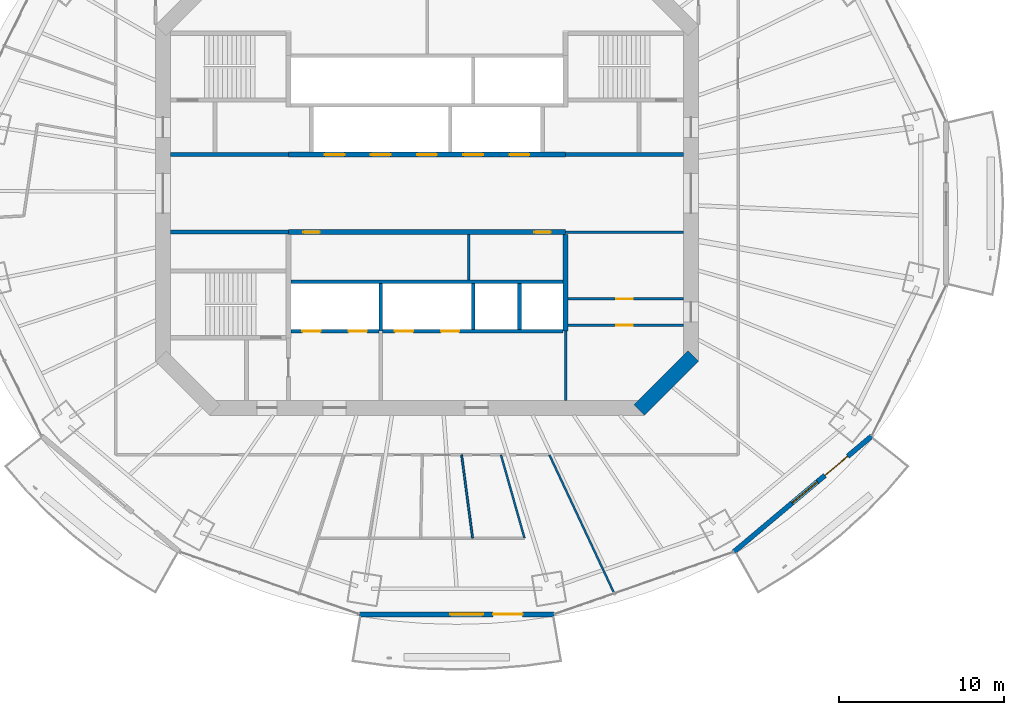
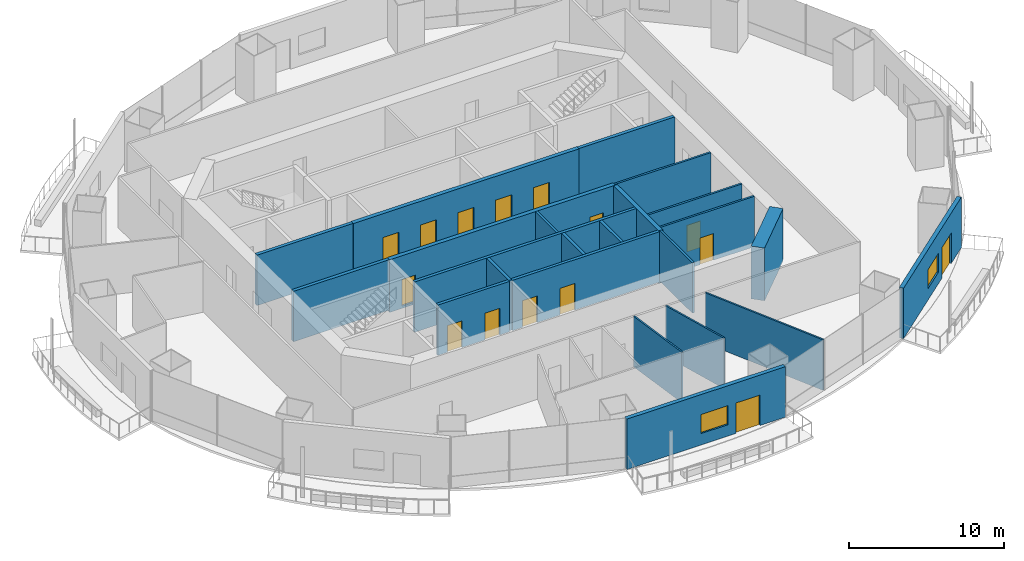
# One storey, part 11 of 19: 23 walls, 15 doors, 2 windows, 17 openings.
"""IFC4 building model written with IfcOpenShell, lengths in metres."""

from ifc_helpers import new_model, si_unit, direction, frame, frame_2d, origin, place, context, subcontext, project, spatial, rectangle, extrude, material, layer, layer_set, type_object, element, fill, save


model = new_model("IFC4")

# Units and contexts
model_context = context("Model", 3, precision=1e-05, world=origin(), true_north=direction((0.0, 1.0)))
body_context = subcontext(model_context, "Body", "Model", "MODEL_VIEW")
ifc_project = project(units=[si_unit("LENGTHUNIT", "METRE"), si_unit("AREAUNIT", "SQUARE_METRE"), si_unit("VOLUMEUNIT", "CUBIC_METRE"), si_unit("PLANEANGLEUNIT", "RADIAN"), si_unit("MASSUNIT", "GRAM", prefix="KILO")], contexts=[model_context])

# Site, building, storey
site_placement = place(None, origin())
site = spatial("IfcSite", under=ifc_project, at=site_placement, CompositionType="ELEMENT")
building_placement = place(site_placement, origin())
building = spatial("IfcBuilding", under=site, at=building_placement, Name="Marenthal Gate Tower", CompositionType="ELEMENT")
storey_placement = place(building_placement, frame((0.0, 0.0, 244.050048828125)))
storey = spatial("IfcBuildingStorey", under=building, at=storey_placement, Name="L54", CompositionType="ELEMENT", Elevation=244.050048828125)

# Wall
ifc_material_1 = material(Name="Concrete 60 MPa", Category="concrete")
ifc_layer_1 = layer(ifc_material_1, 0.89990234375)
ifc_layer_set_1 = layer_set([ifc_layer_1], Name="Core shear wall 900")
wall_type_1 = type_object("IfcWallType", Name="Core shear wall 900", PredefinedType="SHEAR", material=ifc_layer_set_1)
wall_1_placement = place(storey_placement, frame((12.8681640625, -13.1318359375, -0.179931640625), z_axis=(0.0, 0.0, 1.0), x_axis=(0.707106781187, 0.707106781187, 0.0)))
element("IfcWall", 1, at=wall_1_placement, inside=storey, type_object=wall_type_1, Name="Core wall 01", PredefinedType="SHEAR", context=body_context, shape_type="SweptSolid", body=[
    extrude(rectangle(XDim=4.615478515625, YDim=0.89990234375, at=frame_2d((2.3076171875, 0.0))), origin(), (0.0, 0.0, 1.0), 4.14990234375),
])

# Wall, openings, doors
ifc_material_2 = material(Name="Concrete 50 MPa", Category="concrete")
ifc_layer_2 = layer(ifc_material_2, 0.300048828125)
ifc_layer_set_2 = layer_set([ifc_layer_2], Name="Hoistway shear wall 300")
wall_type_2 = type_object("IfcWallType", Name="Hoistway shear wall 300", PredefinedType="SHEAR", material=ifc_layer_set_2)
wall_2_placement = place(storey_placement, frame((-8.39990234375, -2.35009765625, -0.179931640625), z_axis=(0.0, 0.0, 1.0), x_axis=(1.0, 0.0, 0.0)))
wall_2 = element("IfcWall", 2, at=wall_2_placement, inside=storey, type_object=wall_type_2, Name="Hoistway wall 17", PredefinedType="SHEAR", context=body_context, shape_type="SweptSolid", body=[
    extrude(rectangle(XDim=16.7998046875, YDim=0.300048828125, at=frame_2d((8.39990234375, 0.0))), origin(), (0.0, 0.0, 1.0), 4.14990234375),
])
opening_1_placement = place(wall_2_placement, frame((0.89990234375, 0.0, 0.179931640625)))
opening_1 = element("IfcOpeningElement", 3, at=opening_1_placement, cuts=wall_2, Name="Opening D005.01", PredefinedType="OPENING", context=body_context, shape_type="SweptSolid", body=[
    extrude(rectangle(XDim=1.0, YDim=2.10009765625, at=frame_2d((0.5, 1.050048828125))), frame((0.0, 0.16015625, 0.0), z_axis=(0.0, -1.0, 0.0), x_axis=(1.0, 0.0, 0.0)), (0.0, 0.0, 1.0), 0.320068359375),
])
opening_2_placement = place(wall_2_placement, frame((14.89990234375, 0.0, 0.179931640625)))
opening_2 = element("IfcOpeningElement", 4, at=opening_2_placement, cuts=wall_2, Name="Opening D005.02", PredefinedType="OPENING", context=body_context, shape_type="SweptSolid", body=[
    extrude(rectangle(XDim=1.0, YDim=2.10009765625, at=frame_2d((0.5, 1.050048828125))), frame((0.0, 0.16015625, 0.0), z_axis=(0.0, -1.0, 0.0), x_axis=(1.0, 0.0, 0.0)), (0.0, 0.0, 1.0), 0.320068359375),
])
ifc_material_3 = material(Name="Steel fire door", Category="steel")
door_type_1 = type_object("IfcDoorType", Name="Fire door FD 45 1000 x 2100", OperationType="NOTDEFINED", PredefinedType="DOOR", material=ifc_material_3)
door_1_placement = place(opening_1_placement, frame((1.0, 0.0, 0.0), z_axis=(0.0, 0.0, 1.0), x_axis=(-1.0, 0.0, 0.0)))
door_1 = element("IfcDoor", 5, at=door_1_placement, inside=storey, type_object=door_type_1, Name="Door D005.01", OperationType="SINGLE_SWING_LEFT", OverallHeight=2.10009765625, OverallWidth=1.0, PredefinedType="DOOR", context=body_context, shape_type="SweptSolid", body=[
    extrude(rectangle(XDim=1.0, YDim=2.10009765625, at=frame_2d((0.5, 1.050048828125))), frame((0.0, 0.02490234375, 0.0), z_axis=(0.0, -1.0, 0.0), x_axis=(1.0, 0.0, 0.0)), (0.0, 0.0, 1.0), 0.050048828125),
])
fill(opening_1, door_1)
door_2_placement = place(opening_2_placement, frame((1.0, 0.0, 0.0), z_axis=(0.0, 0.0, 1.0), x_axis=(-1.0, 0.0, 0.0)))
door_2 = element("IfcDoor", 6, at=door_2_placement, inside=storey, type_object=door_type_1, Name="Door D005.02", OperationType="SINGLE_SWING_LEFT", OverallHeight=2.10009765625, OverallWidth=1.0, PredefinedType="DOOR", context=body_context, shape_type="SweptSolid", body=[
    extrude(rectangle(XDim=1.0, YDim=2.10009765625, at=frame_2d((0.5, 1.050048828125))), frame((0.0, 0.02490234375, 0.0), z_axis=(0.0, -1.0, 0.0), x_axis=(1.0, 0.0, 0.0)), (0.0, 0.0, 1.0), 0.050048828125),
])
fill(opening_2, door_2)

wall_3_placement = place(storey_placement, frame((-8.39990234375, 2.35009765625, -0.179931640625), z_axis=(0.0, 0.0, 1.0), x_axis=(1.0, 0.0, 0.0)))
wall_3 = element("IfcWall", 7, at=wall_3_placement, inside=storey, type_object=wall_type_2, Name="Hoistway wall 20", PredefinedType="SHEAR", context=body_context, shape_type="SweptSolid", body=[
    extrude(rectangle(XDim=16.7998046875, YDim=0.300048828125, at=frame_2d((8.39990234375, 0.0))), origin(), (0.0, 0.0, 1.0), 4.14990234375),
])
opening_3_placement = place(wall_3_placement, frame((2.199951171875, 0.0, 0.179931640625)))
opening_3 = element("IfcOpeningElement", 8, at=opening_3_placement, cuts=wall_3, Name="Opening LD-MP1", PredefinedType="OPENING", context=body_context, shape_type="SweptSolid", body=[
    extrude(rectangle(XDim=1.199951171875, YDim=2.10009765625, at=frame_2d((0.60009765625, 1.050048828125))), frame((0.0, 0.16015625, 0.0), z_axis=(0.0, -1.0, 0.0), x_axis=(1.0, 0.0, 0.0)), (0.0, 0.0, 1.0), 0.320068359375),
])
opening_4_placement = place(wall_3_placement, frame((5.0, 0.0, 0.179931640625)))
opening_4 = element("IfcOpeningElement", 9, at=opening_4_placement, cuts=wall_3, Name="Opening LD-MP2", PredefinedType="OPENING", context=body_context, shape_type="SweptSolid", body=[
    extrude(rectangle(XDim=1.199951171875, YDim=2.10009765625, at=frame_2d((0.60009765625, 1.050048828125))), frame((0.0, 0.16015625, 0.0), z_axis=(0.0, -1.0, 0.0), x_axis=(1.0, 0.0, 0.0)), (0.0, 0.0, 1.0), 0.320068359375),
])
opening_5_placement = place(wall_3_placement, frame((7.800048828125, 0.0, 0.179931640625)))
opening_5 = element("IfcOpeningElement", 10, at=opening_5_placement, cuts=wall_3, Name="Opening LD-MP3", PredefinedType="OPENING", context=body_context, shape_type="SweptSolid", body=[
    extrude(rectangle(XDim=1.199951171875, YDim=2.10009765625, at=frame_2d((0.60009765625, 1.050048828125))), frame((0.0, 0.16015625, 0.0), z_axis=(0.0, -1.0, 0.0), x_axis=(1.0, 0.0, 0.0)), (0.0, 0.0, 1.0), 0.320068359375),
])
opening_6_placement = place(wall_3_placement, frame((10.60009765625, 0.0, 0.179931640625)))
opening_6 = element("IfcOpeningElement", 11, at=opening_6_placement, cuts=wall_3, Name="Opening LD-MP4", PredefinedType="OPENING", context=body_context, shape_type="SweptSolid", body=[
    extrude(rectangle(XDim=1.199951171875, YDim=2.10009765625, at=frame_2d((0.60009765625, 1.050048828125))), frame((0.0, 0.16015625, 0.0), z_axis=(0.0, -1.0, 0.0), x_axis=(1.0, 0.0, 0.0)), (0.0, 0.0, 1.0), 0.320068359375),
])
opening_7_placement = place(wall_3_placement, frame((13.39990234375, 0.0, 0.179931640625)))
opening_7 = element("IfcOpeningElement", 12, at=opening_7_placement, cuts=wall_3, Name="Opening LD-MP5", PredefinedType="OPENING", context=body_context, shape_type="SweptSolid", body=[
    extrude(rectangle(XDim=1.199951171875, YDim=2.10009765625, at=frame_2d((0.60009765625, 1.050048828125))), frame((0.0, 0.16015625, 0.0), z_axis=(0.0, -1.0, 0.0), x_axis=(1.0, 0.0, 0.0)), (0.0, 0.0, 1.0), 0.320068359375),
])
ifc_material_4 = material(Name="Stainless steel sliding door", Category="steel")
door_type_2 = type_object("IfcDoorType", Name="Lift landing door FD 90 1200 x 2100", OperationType="DOUBLE_DOOR_SLIDING", PredefinedType="DOOR", material=ifc_material_4)
door_3_placement = place(opening_3_placement, origin())
door_3 = element("IfcDoor", 13, at=door_3_placement, inside=storey, type_object=door_type_2, Name="Lift landing door MP1", OperationType="DOUBLE_DOOR_SLIDING", OverallHeight=2.10009765625, OverallWidth=1.199951171875, PredefinedType="DOOR", context=body_context, shape_type="SweptSolid", body=[
    extrude(rectangle(XDim=1.199951171875, YDim=2.10009765625, at=frame_2d((0.60009765625, 1.050048828125))), frame((0.0, 0.02490234375, 0.0), z_axis=(0.0, -1.0, 0.0), x_axis=(1.0, 0.0, 0.0)), (0.0, 0.0, 1.0), 0.050048828125),
])
fill(opening_3, door_3)
door_4_placement = place(opening_4_placement, origin())
door_4 = element("IfcDoor", 14, at=door_4_placement, inside=storey, type_object=door_type_2, Name="Lift landing door MP2", OperationType="DOUBLE_DOOR_SLIDING", OverallHeight=2.10009765625, OverallWidth=1.199951171875, PredefinedType="DOOR", context=body_context, shape_type="SweptSolid", body=[
    extrude(rectangle(XDim=1.199951171875, YDim=2.10009765625, at=frame_2d((0.60009765625, 1.050048828125))), frame((0.0, 0.02490234375, 0.0), z_axis=(0.0, -1.0, 0.0), x_axis=(1.0, 0.0, 0.0)), (0.0, 0.0, 1.0), 0.050048828125),
])
fill(opening_4, door_4)
door_5_placement = place(opening_5_placement, origin())
door_5 = element("IfcDoor", 15, at=door_5_placement, inside=storey, type_object=door_type_2, Name="Lift landing door MP3", OperationType="DOUBLE_DOOR_SLIDING", OverallHeight=2.10009765625, OverallWidth=1.199951171875, PredefinedType="DOOR", context=body_context, shape_type="SweptSolid", body=[
    extrude(rectangle(XDim=1.199951171875, YDim=2.10009765625, at=frame_2d((0.60009765625, 1.050048828125))), frame((0.0, 0.02490234375, 0.0), z_axis=(0.0, -1.0, 0.0), x_axis=(1.0, 0.0, 0.0)), (0.0, 0.0, 1.0), 0.050048828125),
])
fill(opening_5, door_5)
door_6_placement = place(opening_6_placement, origin())
door_6 = element("IfcDoor", 16, at=door_6_placement, inside=storey, type_object=door_type_2, Name="Lift landing door MP4", OperationType="DOUBLE_DOOR_SLIDING", OverallHeight=2.10009765625, OverallWidth=1.199951171875, PredefinedType="DOOR", context=body_context, shape_type="SweptSolid", body=[
    extrude(rectangle(XDim=1.199951171875, YDim=2.10009765625, at=frame_2d((0.60009765625, 1.050048828125))), frame((0.0, 0.02490234375, 0.0), z_axis=(0.0, -1.0, 0.0), x_axis=(1.0, 0.0, 0.0)), (0.0, 0.0, 1.0), 0.050048828125),
])
fill(opening_6, door_6)
door_7_placement = place(opening_7_placement, origin())
door_7 = element("IfcDoor", 17, at=door_7_placement, inside=storey, type_object=door_type_2, Name="Lift landing door MP5", OperationType="DOUBLE_DOOR_SLIDING", OverallHeight=2.10009765625, OverallWidth=1.199951171875, PredefinedType="DOOR", context=body_context, shape_type="SweptSolid", body=[
    extrude(rectangle(XDim=1.199951171875, YDim=2.10009765625, at=frame_2d((0.60009765625, 1.050048828125))), frame((0.0, 0.02490234375, 0.0), z_axis=(0.0, -1.0, 0.0), x_axis=(1.0, 0.0, 0.0)), (0.0, 0.0, 1.0), 0.050048828125),
])
fill(opening_7, door_7)

# Wall
wall_4_placement = place(storey_placement, frame((8.39990234375, -8.35009765625, -0.179931640625), z_axis=(0.0, 0.0, 1.0), x_axis=(0.0, 1.0, 0.0)))
element("IfcWall", 18, at=wall_4_placement, inside=storey, type_object=wall_type_2, Name="Hoistway wall 45", PredefinedType="SHEAR", context=body_context, shape_type="SweptSolid", body=[
    extrude(rectangle(XDim=5.85009765625, YDim=0.300048828125, at=frame_2d((2.925048828125, 0.0))), origin(), (0.0, 0.0, 1.0), 4.14990234375),
])

# Wall, openings, doors
ifc_material_5 = material(Name="Concrete 40 MPa", Category="concrete")
ifc_layer_3 = layer(ifc_material_5, 0.219970703125)
ifc_layer_set_3 = layer_set([ifc_layer_3], Name="Hoistway wall 220")
wall_type_3 = type_object("IfcWallType", Name="Hoistway wall 220", PredefinedType="STANDARD", material=ifc_layer_set_3)
wall_5_placement = place(storey_placement, frame((-8.25, -8.35009765625, 0.0), z_axis=(0.0, 0.0, 1.0), x_axis=(1.0, 0.0, 0.0)))
wall_5 = element("IfcWall", 19, at=wall_5_placement, inside=storey, type_object=wall_type_3, Name="Hoistway wall 10", PredefinedType="STANDARD", context=body_context, shape_type="SweptSolid", body=[
    extrude(rectangle(XDim=5.340087890625, YDim=0.219970703125, at=frame_2d((2.669921875, 0.0))), origin(), (0.0, 0.0, 1.0), 3.969970703125),
])
opening_8_placement = place(wall_5_placement, frame((0.699951171875, 0.0, 0.0)))
opening_8 = element("IfcOpeningElement", 20, at=opening_8_placement, cuts=wall_5, Name="Opening LD-LF1", PredefinedType="OPENING", context=body_context, shape_type="SweptSolid", body=[
    extrude(rectangle(XDim=1.10009765625, YDim=2.10009765625, at=frame_2d((0.550048828125, 1.050048828125))), frame((0.0, 0.1201171875, 0.0), z_axis=(0.0, -1.0, 0.0), x_axis=(1.0, 0.0, 0.0)), (0.0, 0.0, 1.0), 0.239990234375),
])
opening_9_placement = place(wall_5_placement, frame((3.5, 0.0, 0.0)))
opening_9 = element("IfcOpeningElement", 21, at=opening_9_placement, cuts=wall_5, Name="Opening LD-LF2", PredefinedType="OPENING", context=body_context, shape_type="SweptSolid", body=[
    extrude(rectangle(XDim=1.10009765625, YDim=2.10009765625, at=frame_2d((0.550048828125, 1.050048828125))), frame((0.0, 0.1201171875, 0.0), z_axis=(0.0, -1.0, 0.0), x_axis=(1.0, 0.0, 0.0)), (0.0, 0.0, 1.0), 0.239990234375),
])
ifc_material_6 = material(Name="Stainless steel sliding door", Category="steel")
door_type_3 = type_object("IfcDoorType", Name="Lift landing door FD 90 1100 x 2100", OperationType="DOUBLE_DOOR_SLIDING", PredefinedType="DOOR", material=ifc_material_6)
door_8_placement = place(opening_8_placement, origin())
door_8 = element("IfcDoor", 22, at=door_8_placement, inside=storey, type_object=door_type_3, Name="Lift landing door LF1", OperationType="DOUBLE_DOOR_SLIDING", OverallHeight=2.10009765625, OverallWidth=1.10009765625, PredefinedType="DOOR", context=body_context, shape_type="SweptSolid", body=[
    extrude(rectangle(XDim=1.10009765625, YDim=2.10009765625, at=frame_2d((0.550048828125, 1.050048828125))), frame((0.0, 0.02490234375, 0.0), z_axis=(0.0, -1.0, 0.0), x_axis=(1.0, 0.0, 0.0)), (0.0, 0.0, 1.0), 0.050048828125),
])
fill(opening_8, door_8)
door_9_placement = place(opening_9_placement, origin())
door_9 = element("IfcDoor", 23, at=door_9_placement, inside=storey, type_object=door_type_3, Name="Lift landing door LF2", OperationType="DOUBLE_DOOR_SLIDING", OverallHeight=2.10009765625, OverallWidth=1.10009765625, PredefinedType="DOOR", context=body_context, shape_type="SweptSolid", body=[
    extrude(rectangle(XDim=1.10009765625, YDim=2.10009765625, at=frame_2d((0.550048828125, 1.050048828125))), frame((0.0, 0.02490234375, 0.0), z_axis=(0.0, -1.0, 0.0), x_axis=(1.0, 0.0, 0.0)), (0.0, 0.0, 1.0), 0.050048828125),
])
fill(opening_9, door_9)

wall_6_placement = place(storey_placement, frame((-2.68994140625, -8.35009765625, 0.0), z_axis=(0.0, 0.0, 1.0), x_axis=(1.0, 0.0, 0.0)))
wall_6 = element("IfcWall", 24, at=wall_6_placement, inside=storey, type_object=wall_type_3, Name="Hoistway wall 11", PredefinedType="STANDARD", context=body_context, shape_type="SweptSolid", body=[
    extrude(rectangle(XDim=10.93994140625, YDim=0.219970703125, at=frame_2d((5.469970703125, 0.0))), origin(), (0.0, 0.0, 1.0), 3.969970703125),
])
opening_10_placement = place(wall_6_placement, frame((0.739990234375, 0.0, 0.0)))
opening_10 = element("IfcOpeningElement", 25, at=opening_10_placement, cuts=wall_6, Name="Opening LD-SV1", PredefinedType="OPENING", context=body_context, shape_type="SweptSolid", body=[
    extrude(rectangle(XDim=1.10009765625, YDim=2.10009765625, at=frame_2d((0.550048828125, 1.050048828125))), frame((0.0, 0.1201171875, 0.0), z_axis=(0.0, -1.0, 0.0), x_axis=(1.0, 0.0, 0.0)), (0.0, 0.0, 1.0), 0.239990234375),
])
opening_11_placement = place(wall_6_placement, frame((3.5400390625, 0.0, 0.0)))
opening_11 = element("IfcOpeningElement", 26, at=opening_11_placement, cuts=wall_6, Name="Opening LD-SV2", PredefinedType="OPENING", context=body_context, shape_type="SweptSolid", body=[
    extrude(rectangle(XDim=1.10009765625, YDim=2.10009765625, at=frame_2d((0.550048828125, 1.050048828125))), frame((0.0, 0.1201171875, 0.0), z_axis=(0.0, -1.0, 0.0), x_axis=(1.0, 0.0, 0.0)), (0.0, 0.0, 1.0), 0.239990234375),
])
door_10_placement = place(opening_10_placement, origin())
door_10 = element("IfcDoor", 27, at=door_10_placement, inside=storey, type_object=door_type_3, Name="Lift landing door SV1", OperationType="DOUBLE_DOOR_SLIDING", OverallHeight=2.10009765625, OverallWidth=1.10009765625, PredefinedType="DOOR", context=body_context, shape_type="SweptSolid", body=[
    extrude(rectangle(XDim=1.10009765625, YDim=2.10009765625, at=frame_2d((0.550048828125, 1.050048828125))), frame((0.0, 0.02490234375, 0.0), z_axis=(0.0, -1.0, 0.0), x_axis=(1.0, 0.0, 0.0)), (0.0, 0.0, 1.0), 0.050048828125),
])
fill(opening_10, door_10)
door_11_placement = place(opening_11_placement, origin())
door_11 = element("IfcDoor", 28, at=door_11_placement, inside=storey, type_object=door_type_3, Name="Lift landing door SV2", OperationType="DOUBLE_DOOR_SLIDING", OverallHeight=2.10009765625, OverallWidth=1.10009765625, PredefinedType="DOOR", context=body_context, shape_type="SweptSolid", body=[
    extrude(rectangle(XDim=1.10009765625, YDim=2.10009765625, at=frame_2d((0.550048828125, 1.050048828125))), frame((0.0, 0.02490234375, 0.0), z_axis=(0.0, -1.0, 0.0), x_axis=(1.0, 0.0, 0.0)), (0.0, 0.0, 1.0), 0.050048828125),
])
fill(opening_11, door_11)

# Walls
wall_7_placement = place(storey_placement, frame((-8.25, -5.35009765625, 0.0), z_axis=(0.0, 0.0, 1.0), x_axis=(1.0, 0.0, 0.0)))
element("IfcWall", 29, at=wall_7_placement, inside=storey, type_object=wall_type_3, Name="Hoistway wall 14", PredefinedType="STANDARD", context=body_context, shape_type="SweptSolid", body=[
    extrude(rectangle(XDim=16.5, YDim=0.219970703125, at=frame_2d((8.25, 0.0))), origin(), (0.0, 0.0, 1.0), 3.969970703125),
])
wall_8_placement = place(storey_placement, frame((-2.800048828125, -8.35009765625, 0.0), z_axis=(0.0, 0.0, 1.0), x_axis=(0.0, 1.0, 0.0)))
element("IfcWall", 30, at=wall_8_placement, inside=storey, type_object=wall_type_3, Name="Hoistway wall 36", PredefinedType="STANDARD", context=body_context, shape_type="SweptSolid", body=[
    extrude(rectangle(XDim=2.89013671875, YDim=0.219970703125, at=frame_2d((1.445068359375, 0.0))), origin(), (0.0, 0.0, 1.0), 3.969970703125),
])
for number, where, z_axis, x_axis, name in (
    (31, (2.800048828125, -8.239990234375, 0.0), (0.0, 0.0, 1.0), (0.0, 1.0, 0.0), "Hoistway wall 40"),
    (32, (5.60009765625, -8.239990234375, 0.0), (0.0, 0.0, 1.0), (0.0, 1.0, 0.0), "Hoistway wall 42"),
):
    element("IfcWall", number, at=place(storey_placement, frame(where, z_axis=z_axis, x_axis=x_axis)), inside=storey, type_object=wall_type_3, Name=name, PredefinedType="STANDARD", context=body_context, shape_type="SweptSolid", body=[
        extrude(rectangle(XDim=2.780029296875, YDim=0.219970703125, at=frame_2d((1.39013671875, 0.0))), origin(), (0.0, 0.0, 1.0), 3.969970703125),
    ])
ifc_material_7 = material(Name="Gypsum board on steel studs", Category="steel")
ifc_layer_4 = layer(ifc_material_7, 0.1201171875)
ifc_layer_set_4 = layer_set([ifc_layer_4], Name="Partition 120")
wall_type_4 = type_object("IfcWallType", Name="Partition 120", PredefinedType="PARTITIONING", material=ifc_layer_set_4)
wall_9_placement = place(storey_placement, frame((2.760498046875, -20.88623046875, 0.0), z_axis=(0.0, 0.0, 1.0), x_axis=(-0.131011450979, 0.991380855026, 0.0)))
element("IfcWall", 33, at=wall_9_placement, inside=storey, type_object=wall_type_4, Name="Partition wall 61", PredefinedType="PARTITIONING", context=body_context, shape_type="SweptSolid", body=[
    extrude(rectangle(XDim=5.079833984375, YDim=0.1201171875, at=frame_2d((2.5400390625, 0.0))), origin(), (0.0, 0.0, 1.0), 3.969970703125),
])
wall_10_placement = place(storey_placement, frame((5.90478515625, -20.88623046875, 0.0), z_axis=(0.0, 0.0, 1.0), x_axis=(-0.272058427556, 0.962280734503, 0.0)))
element("IfcWall", 34, at=wall_10_placement, inside=storey, type_object=wall_type_4, Name="Partition wall 62", PredefinedType="PARTITIONING", context=body_context, shape_type="SweptSolid", body=[
    extrude(rectangle(XDim=5.233642578125, YDim=0.1201171875, at=frame_2d((2.61669921875, 0.0))), origin(), (0.0, 0.0, 1.0), 3.969970703125),
])
wall_11_placement = place(storey_placement, frame((7.41650390625, -15.85009765625, 0.0), z_axis=(0.0, 0.0, 1.0), x_axis=(0.423847224257, -0.905733697336, 0.0)))
element("IfcWall", 35, at=wall_11_placement, inside=storey, type_object=wall_type_4, Name="Partition wall 63", PredefinedType="PARTITIONING", context=body_context, shape_type="SweptSolid", body=[
    extrude(rectangle(XDim=9.266845703125, YDim=0.1201171875, at=frame_2d((4.63330078125, 0.0))), origin(), (0.0, 0.0, 1.0), 3.969970703125),
])

# Wall, opening, door
ifc_material_8 = material(Name="Gypsum board on steel studs", Category="steel")
ifc_layer_5 = layer(ifc_material_8, 0.14990234375)
ifc_layer_set_5 = layer_set([ifc_layer_5], Name="Partition 150")
wall_type_5 = type_object("IfcWallType", Name="Partition 150", PredefinedType="PARTITIONING", material=ifc_layer_set_5)
wall_12_placement = place(storey_placement, frame((8.550048828125, -8.0, 0.0), z_axis=(0.0, 0.0, 1.0), x_axis=(1.0, 0.0, 0.0)))
wall_12 = element("IfcWall", 36, at=wall_12_placement, inside=storey, type_object=wall_type_5, Name="Partition wall 12", PredefinedType="PARTITIONING", context=body_context, shape_type="SweptSolid", body=[
    extrude(rectangle(XDim=7.0, YDim=0.14990234375, at=frame_2d((3.5, 0.0))), origin(), (0.0, 0.0, 1.0), 3.969970703125),
])
opening_12_placement = place(wall_12_placement, frame((2.925048828125, 0.0, 0.0)))
opening_12 = element("IfcOpeningElement", 37, at=opening_12_placement, cuts=wall_12, Name="Opening D005.06", PredefinedType="OPENING", context=body_context, shape_type="SweptSolid", body=[
    extrude(rectangle(XDim=1.0, YDim=2.10009765625, at=frame_2d((0.5, 1.050048828125))), frame((0.0, 0.0849609375, 0.0), z_axis=(0.0, -1.0, 0.0), x_axis=(1.0, 0.0, 0.0)), (0.0, 0.0, 1.0), 0.169921875),
])
door_12_placement = place(opening_12_placement, frame((1.0, 0.0, 0.0), z_axis=(0.0, 0.0, 1.0), x_axis=(-1.0, 0.0, 0.0)))
door_12 = element("IfcDoor", 38, at=door_12_placement, inside=storey, type_object=door_type_1, Name="Door D005.06", OperationType="SINGLE_SWING_LEFT", OverallHeight=2.10009765625, OverallWidth=1.0, PredefinedType="DOOR", context=body_context, shape_type="SweptSolid", body=[
    extrude(rectangle(XDim=1.0, YDim=2.10009765625, at=frame_2d((0.5, 1.050048828125))), frame((0.0, 0.02490234375, 0.0), z_axis=(0.0, -1.0, 0.0), x_axis=(1.0, 0.0, 0.0)), (0.0, 0.0, 1.0), 0.050048828125),
])
fill(opening_12, door_12)

wall_13_placement = place(storey_placement, frame((8.550048828125, -6.39990234375, 0.0), z_axis=(0.0, 0.0, 1.0), x_axis=(1.0, 0.0, 0.0)))
wall_13 = element("IfcWall", 39, at=wall_13_placement, inside=storey, type_object=wall_type_5, Name="Partition wall 13", PredefinedType="PARTITIONING", context=body_context, shape_type="SweptSolid", body=[
    extrude(rectangle(XDim=7.0, YDim=0.14990234375, at=frame_2d((3.5, 0.0))), origin(), (0.0, 0.0, 1.0), 3.969970703125),
])
opening_13_placement = place(wall_13_placement, frame((2.925048828125, 0.0, 0.0)))
opening_13 = element("IfcOpeningElement", 40, at=opening_13_placement, cuts=wall_13, Name="Opening D005.05", PredefinedType="OPENING", context=body_context, shape_type="SweptSolid", body=[
    extrude(rectangle(XDim=1.0, YDim=2.10009765625, at=frame_2d((0.5, 1.050048828125))), frame((0.0, 0.0849609375, 0.0), z_axis=(0.0, -1.0, 0.0), x_axis=(1.0, 0.0, 0.0)), (0.0, 0.0, 1.0), 0.169921875),
])
door_13_placement = place(opening_13_placement, origin())
door_13 = element("IfcDoor", 41, at=door_13_placement, inside=storey, type_object=door_type_1, Name="Door D005.05", OperationType="SINGLE_SWING_RIGHT", OverallHeight=2.10009765625, OverallWidth=1.0, PredefinedType="DOOR", context=body_context, shape_type="SweptSolid", body=[
    extrude(rectangle(XDim=1.0, YDim=2.10009765625, at=frame_2d((0.5, 1.050048828125))), frame((0.0, 0.02490234375, 0.0), z_axis=(0.0, -1.0, 0.0), x_axis=(1.0, 0.0, 0.0)), (0.0, 0.0, 1.0), 0.050048828125),
])
fill(opening_13, door_13)

# Walls
wall_14_placement = place(storey_placement, frame((8.39990234375, -2.35009765625, 0.0), z_axis=(0.0, 0.0, 1.0), x_axis=(1.0, 0.0, 0.0)))
element("IfcWall", 42, at=wall_14_placement, inside=storey, type_object=wall_type_5, Name="Partition wall 18", PredefinedType="PARTITIONING", context=body_context, shape_type="SweptSolid", body=[
    extrude(rectangle(XDim=7.150146484375, YDim=0.14990234375, at=frame_2d((3.5751953125, 0.0))), origin(), (0.0, 0.0, 1.0), 3.969970703125),
])
wall_15_placement = place(storey_placement, frame((2.52001953125, -5.239990234375, 0.0), z_axis=(0.0, 0.0, 1.0), x_axis=(0.0, 1.0, 0.0)))
element("IfcWall", 43, at=wall_15_placement, inside=storey, type_object=wall_type_5, Name="Partition wall 39", PredefinedType="PARTITIONING", context=body_context, shape_type="SweptSolid", body=[
    extrude(rectangle(XDim=2.739990234375, YDim=0.14990234375, at=frame_2d((1.3701171875, 0.0))), origin(), (0.0, 0.0, 1.0), 3.969970703125),
])
wall_16_placement = place(storey_placement, frame((8.39990234375, -12.550048828125, 0.0), z_axis=(0.0, 0.0, 1.0), x_axis=(0.0, 1.0, 0.0)))
element("IfcWall", 44, at=wall_16_placement, inside=storey, type_object=wall_type_5, Name="Partition wall 44", PredefinedType="PARTITIONING", context=body_context, shape_type="SweptSolid", body=[
    extrude(rectangle(XDim=4.199951171875, YDim=0.14990234375, at=frame_2d((2.10009765625, 0.0))), origin(), (0.0, 0.0, 1.0), 3.969970703125),
])
ifc_material_9 = material(Name="Concrete 40 MPa", Category="concrete")
ifc_layer_6 = layer(ifc_material_9, 0.25)
ifc_layer_set_6 = layer_set([ifc_layer_6], Name="Stair enclosure wall 250")
wall_type_6 = type_object("IfcWallType", Name="Stair enclosure wall 250", PredefinedType="STANDARD", material=ifc_layer_set_6)
for number, where, z_axis, x_axis, name in (
    (45, (-15.550048828125, -2.35009765625, 0.0), (0.0, 0.0, 1.0), (1.0, 0.0, 0.0), "Stair wall 16"),
    (46, (-15.550048828125, 2.35009765625, 0.0), (0.0, 0.0, 1.0), (1.0, 0.0, 0.0), "Stair wall 19"),
    (47, (8.39990234375, 2.35009765625, 0.0), (0.0, 0.0, 1.0), (1.0, 0.0, 0.0), "Stair wall 21"),
):
    element("IfcWall", number, at=place(storey_placement, frame(where, z_axis=z_axis, x_axis=x_axis)), inside=storey, type_object=wall_type_6, Name=name, PredefinedType="STANDARD", context=body_context, shape_type="SweptSolid", body=[
        extrude(rectangle(XDim=7.150146484375, YDim=0.25, at=frame_2d((3.5751953125, 0.0))), origin(), (0.0, 0.0, 1.0), 3.969970703125),
    ])

# Wall, openings, door, window
ifc_material_10 = material(Name="Terracotta cladding on insulated concrete-block backing", Category="masonry")
ifc_layer_7 = layer(ifc_material_10, 0.300048828125)
ifc_layer_set_7 = layer_set([ifc_layer_7], Name="Terracotta facade wall 300")
wall_type_7 = type_object("IfcWallType", Name="Terracotta facade wall 300", PredefinedType="SOLIDWALL", material=ifc_layer_set_7)
wall_17_placement = place(storey_placement, frame((-4.1005859375, -25.510986328125, 0.0), z_axis=(0.0, 0.0, 1.0), x_axis=(1.0, 0.0, 0.0)))
wall_17 = element("IfcWall", 48, at=wall_17_placement, inside=storey, type_object=wall_type_7, Name="Terracotta facade wall L54 bay 12", PredefinedType="SOLIDWALL", context=body_context, shape_type="SweptSolid", body=[
    extrude(rectangle(XDim=11.801025390625, YDim=0.300048828125, at=frame_2d((5.900390625, 0.0))), origin(), (0.0, 0.0, 1.0), 3.969970703125),
])
opening_14_placement = place(wall_17_placement, frame((8.10107421875, 0.0, 0.0)))
opening_14 = element("IfcOpeningElement", 49, at=opening_14_placement, cuts=wall_17, Name="Opening BD-L54-12", PredefinedType="OPENING", context=body_context, shape_type="SweptSolid", body=[
    extrude(rectangle(XDim=1.800048828125, YDim=2.39990234375, at=frame_2d((0.89990234375, 1.199951171875))), frame((0.0, 0.16015625, 0.0), z_axis=(0.0, -1.0, 0.0), x_axis=(1.0, 0.0, 0.0)), (0.0, 0.0, 1.0), 0.320068359375),
])
opening_15_placement = place(wall_17_placement, frame((5.5009765625, 0.0, 0.89990234375)))
opening_15 = element("IfcOpeningElement", 50, at=opening_15_placement, cuts=wall_17, Name="Opening WN2-L54-12", PredefinedType="OPENING", context=body_context, shape_type="SweptSolid", body=[
    extrude(rectangle(XDim=2.0, YDim=1.5, at=frame_2d((1.0, 0.75))), frame((0.0, 0.16015625, 0.0), z_axis=(0.0, -1.0, 0.0), x_axis=(1.0, 0.0, 0.0)), (0.0, 0.0, 1.0), 0.320068359375),
])
ifc_material_11 = material(Name="Aluminium and glass", Category="aluminium")
door_type_4 = type_object("IfcDoorType", Name="Balcony door 1800x2400", OperationType="DOUBLE_DOOR_SINGLE_SWING", PredefinedType="DOOR", material=ifc_material_11)
door_14_placement = place(opening_14_placement, origin())
door_14 = element("IfcDoor", 51, at=door_14_placement, inside=storey, type_object=door_type_4, Name="Balcony door L54 bay 12", OperationType="SINGLE_SWING_LEFT", OverallHeight=2.39990234375, OverallWidth=1.800048828125, PredefinedType="DOOR", context=body_context, shape_type="SweptSolid", body=[
    extrude(rectangle(XDim=1.800048828125, YDim=2.39990234375, at=frame_2d((0.89990234375, 1.199951171875))), frame((0.0, 0.02490234375, 0.0), z_axis=(0.0, -1.0, 0.0), x_axis=(1.0, 0.0, 0.0)), (0.0, 0.0, 1.0), 0.050048828125),
])
fill(opening_14, door_14)
ifc_material_12 = material(Name="Aluminium and glass", Category="aluminium")
window_type = type_object("IfcWindowType", Name="Window 2000x1500", PartitioningType="DOUBLE_PANEL_VERTICAL", PredefinedType="WINDOW", material=ifc_material_12)
window_1_placement = place(opening_15_placement, origin())
window_1 = element("IfcWindow", 52, at=window_1_placement, inside=storey, type_object=window_type, Name="Window L54 bay 12", OverallHeight=1.5, OverallWidth=2.0, PartitioningType="SINGLE_PANEL", PredefinedType="WINDOW", context=body_context, shape_type="SweptSolid", body=[
    extrude(rectangle(XDim=2.0, YDim=1.5, at=frame_2d((1.0, 0.75))), frame((0.0, 0.030029296875, 0.0), z_axis=(0.0, -1.0, 0.0), x_axis=(1.0, 0.0, 0.0)), (0.0, 0.0, 1.0), 0.06005859375),
])
fill(opening_15, window_1)

wall_18_placement = place(storey_placement, frame((18.603271484375, -21.718505859375, 0.0), z_axis=(0.0, 0.0, 1.0), x_axis=(0.765786072148, 0.643095398603, 0.0)))
wall_18 = element("IfcWall", 53, at=wall_18_placement, inside=storey, type_object=wall_type_7, Name="Terracotta facade wall L54 bay 14", PredefinedType="SOLIDWALL", context=body_context, shape_type="SweptSolid", body=[
    extrude(rectangle(XDim=10.896728515625, YDim=0.300048828125, at=frame_2d((5.4482421875, 0.0))), origin(), (0.0, 0.0, 1.0), 3.969970703125),
])
opening_16_placement = place(wall_18_placement, frame((7.19677734375, 0.0, 0.0)))
opening_16 = element("IfcOpeningElement", 54, at=opening_16_placement, cuts=wall_18, Name="Opening BD-L54-14", PredefinedType="OPENING", context=body_context, shape_type="SweptSolid", body=[
    extrude(rectangle(XDim=1.800048828125, YDim=2.39990234375, at=frame_2d((0.89990234375, 1.199951171875))), frame((0.0, 0.16015625, 0.0), z_axis=(0.0, -1.0, 0.0), x_axis=(1.0, 0.0, 0.0)), (0.0, 0.0, 1.0), 0.320068359375),
])
opening_17_placement = place(wall_18_placement, frame((4.5966796875, 0.0, 0.89990234375)))
opening_17 = element("IfcOpeningElement", 55, at=opening_17_placement, cuts=wall_18, Name="Opening WN2-L54-14", PredefinedType="OPENING", context=body_context, shape_type="SweptSolid", body=[
    extrude(rectangle(XDim=2.0, YDim=1.5, at=frame_2d((1.0, 0.75))), frame((0.0, 0.16015625, 0.0), z_axis=(0.0, -1.0, 0.0), x_axis=(1.0, 0.0, 0.0)), (0.0, 0.0, 1.0), 0.320068359375),
])
door_15_placement = place(opening_16_placement, origin())
door_15 = element("IfcDoor", 56, at=door_15_placement, inside=storey, type_object=door_type_4, Name="Balcony door L54 bay 14", OperationType="SINGLE_SWING_LEFT", OverallHeight=2.39990234375, OverallWidth=1.800048828125, PredefinedType="DOOR", context=body_context, shape_type="SweptSolid", body=[
    extrude(rectangle(XDim=1.800048828125, YDim=2.39990234375, at=frame_2d((0.89990234375, 1.199951171875))), frame((0.0, 0.02490234375, 0.0), z_axis=(0.0, -1.0, 0.0), x_axis=(1.0, 0.0, 0.0)), (0.0, 0.0, 1.0), 0.050048828125),
])
fill(opening_16, door_15)
window_2_placement = place(opening_17_placement, origin())
window_2 = element("IfcWindow", 57, at=window_2_placement, inside=storey, type_object=window_type, Name="Window L54 bay 14", OverallHeight=1.5, OverallWidth=2.0, PartitioningType="SINGLE_PANEL", PredefinedType="WINDOW", context=body_context, shape_type="SweptSolid", body=[
    extrude(rectangle(XDim=2.0, YDim=1.5, at=frame_2d((1.0, 0.75))), frame((0.0, 0.030029296875, 0.0), z_axis=(0.0, -1.0, 0.0), x_axis=(1.0, 0.0, 0.0)), (0.0, 0.0, 1.0), 0.06005859375),
])
fill(opening_17, window_2)

save(model, "model.ifc")
